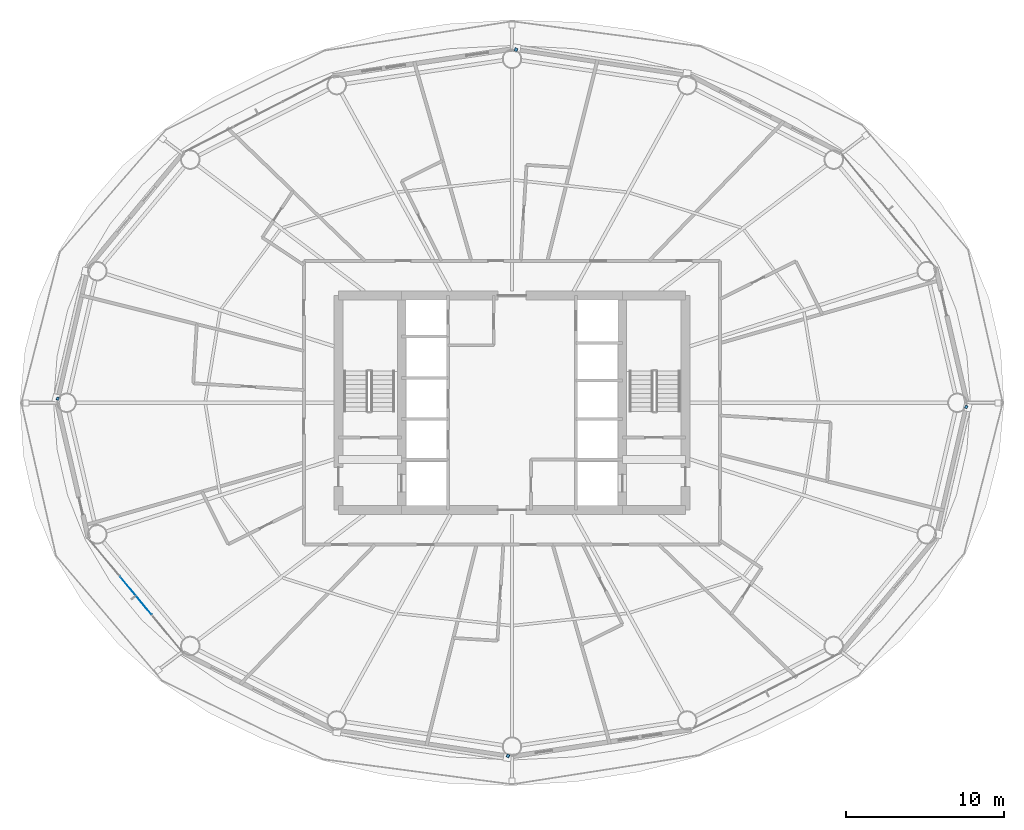
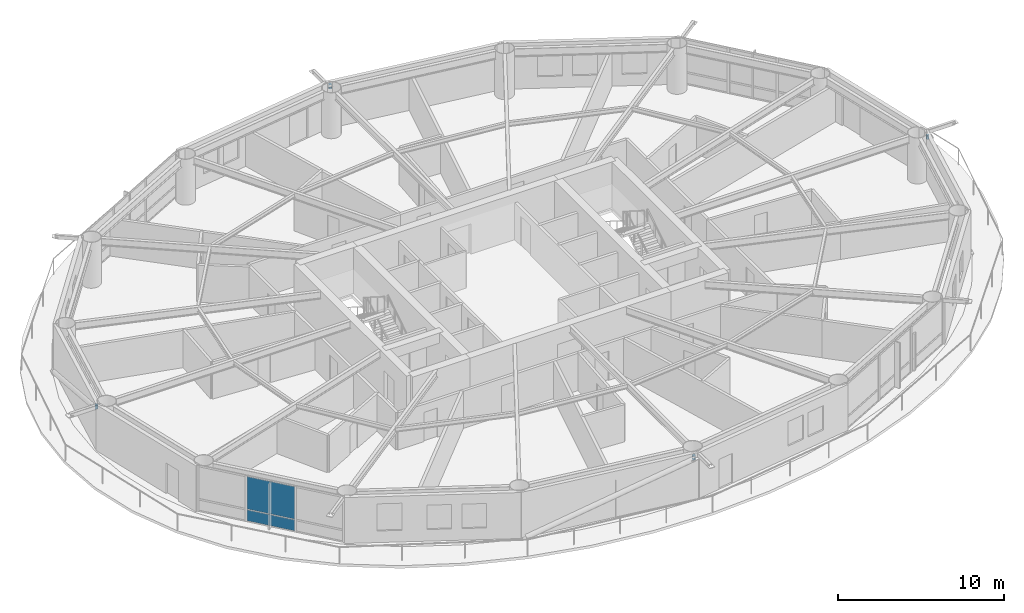
# One storey, part 13 of 24: 4 members, 2 plates, 1 element without a shape of its own.
"""IFC4 building model written with IfcOpenShell, lengths in metres."""

from ifc_helpers import new_model, si_unit, direction, frame, origin, origin_2d, place, context, subcontext, project, spatial, rectangle, hollow_rectangle, extrude, material, layer, layer_set, material_profile, profile_set, type_object, element, aggregate, save


model = new_model("IFC4")

# Units and contexts
model_context = context("Model", 3, precision=1e-05, world=origin(), true_north=direction((0.0, 1.0)))
body_context = subcontext(model_context, "Body", "Model", "MODEL_VIEW")
ifc_project = project(units=[si_unit("LENGTHUNIT", "METRE"), si_unit("AREAUNIT", "SQUARE_METRE"), si_unit("VOLUMEUNIT", "CUBIC_METRE"), si_unit("PLANEANGLEUNIT", "RADIAN"), si_unit("MASSUNIT", "GRAM", prefix="KILO")], contexts=[model_context])

# Site, building, storey
site_placement = place(None, origin())
site = spatial("IfcSite", under=ifc_project, at=site_placement, CompositionType="ELEMENT")
building_placement = place(site_placement, origin())
building = spatial("IfcBuilding", under=site, at=building_placement, Name="Sarneth Arch Tower", CompositionType="ELEMENT")
storey_placement = place(building_placement, frame((0.0, 0.0, 98.39990234375)))
storey = spatial("IfcBuildingStorey", under=building, at=storey_placement, Name="L24", CompositionType="ELEMENT", Elevation=98.39990234375)

# Members
ifc_material_1 = material(Name="Steel S355", Category="steel")
ifc_material_profile = material_profile(ifc_material_1, hollow_rectangle(XDim=0.199951171875, YDim=0.300048828125, WallThickness=0.012451171875, InnerFilletRadius=0.018798828125, OuterFilletRadius=0.03125, at=origin_2d()), Name="RHS300x200x12.5")
ifc_profile_set = profile_set([ifc_material_profile], Name="Steel S355")
member_type = type_object("IfcMemberType", Name="MEM-CANT-STRUT", PredefinedType="STRUT", material=ifc_profile_set)
member_1_placement = place(storey_placement, frame((48.214599609375, 64.295654296875, 3.012939453125), z_axis=(0.396911150685, 0.91785703596, 0.0), x_axis=(-0.91785703596, 0.396911150685, 0.0)))
element("IfcMember", 1, at=member_1_placement, inside=storey, type_object=member_type, Name="L24 Exoskeleton brace node strut 04B", PredefinedType="STRUT", context=body_context, shape_type="SweptSolid", body=[
    extrude(hollow_rectangle(XDim=0.199951171875, YDim=0.300048828125, WallThickness=0.012451171875, InnerFilletRadius=0.018798828125, OuterFilletRadius=0.03125, at=origin_2d()), origin(), (0.0, 0.0, 1.0), 0.206787109375),
])
member_2_placement = place(storey_placement, frame((19.27197265625, 42.223876953125, 3.012939453125), z_axis=(-0.910619027161, 0.413246884287, 0.0), x_axis=(-0.413246884287, -0.910619027161, 0.0)))
element("IfcMember", 2, at=member_2_placement, inside=storey, type_object=member_type, Name="L24 Exoskeleton brace node strut 08B", PredefinedType="STRUT", context=body_context, shape_type="SweptSolid", body=[
    extrude(hollow_rectangle(XDim=0.199951171875, YDim=0.300048828125, WallThickness=0.012451171875, InnerFilletRadius=0.018798828125, OuterFilletRadius=0.03125, at=origin_2d()), origin(), (0.0, 0.0, 1.0), 0.16552734375),
])
member_3_placement = place(storey_placement, frame((47.785400390625, 19.704345703125, 3.012939453125), z_axis=(-0.396911150685, -0.91785703596, 0.0), x_axis=(0.91785703596, -0.396911150685, 0.0)))
element("IfcMember", 3, at=member_3_placement, inside=storey, type_object=member_type, Name="L24 Exoskeleton brace node strut 12B", PredefinedType="STRUT", context=body_context, shape_type="SweptSolid", body=[
    extrude(hollow_rectangle(XDim=0.199951171875, YDim=0.300048828125, WallThickness=0.012451171875, InnerFilletRadius=0.018798828125, OuterFilletRadius=0.03125, at=origin_2d()), origin(), (0.0, 0.0, 1.0), 0.206787109375),
])
member_4_placement = place(storey_placement, frame((76.72802734375, 41.776123046875, 3.012939453125), z_axis=(0.910619027161, -0.413246884287, 0.0), x_axis=(0.413246884287, 0.910619027161, 0.0)))
element("IfcMember", 4, at=member_4_placement, inside=storey, type_object=member_type, Name="L24 Exoskeleton brace node strut 16B", PredefinedType="STRUT", context=body_context, shape_type="SweptSolid", body=[
    extrude(hollow_rectangle(XDim=0.199951171875, YDim=0.300048828125, WallThickness=0.012451171875, InnerFilletRadius=0.018798828125, OuterFilletRadius=0.03125, at=origin_2d()), origin(), (0.0, 0.0, 1.0), 0.16552734375),
])

# Curtain wall, plates
ifc_material_2 = material(Name="Anodised aluminium Type AA25 and solar-control low-e laminated IGU", Category="aluminium")
ifc_layer_1 = layer(ifc_material_2, 0.159912109375)
ifc_layer_set_1 = layer_set([ifc_layer_1], Name="Anodised aluminium Type AA25 and solar-control low-e laminated IGU")
curtain_wall_type = type_object("IfcCurtainWallType", Name="CW-HOTEL-MID", PredefinedType="NOTDEFINED", material=ifc_layer_set_1)
curtain_wall_placement = place(storey_placement, origin())
curtain_wall = element("IfcCurtainWall", 5, at=curtain_wall_placement, inside=storey, type_object=curtain_wall_type, Name="L24 Unitised curtain wall facet 10", PredefinedType="NOTDEFINED")
ifc_material_3 = material(Name="Solar-control low-e laminated IGU", Category="glass")
ifc_layer_2 = layer(ifc_material_3, 0.028076171875)
ifc_layer_set_2 = layer_set([ifc_layer_2], Name="Solar-control low-e laminated IGU")
plate_type = type_object("IfcPlateType", Name="CW-PANEL", PredefinedType="CURTAIN_PANEL", material=ifc_layer_set_2)
plate_1_placement = place(storey_placement, frame((24.1494140625, 29.778076171875, 0.06005859375), z_axis=(0.0, 0.0, 1.0), x_axis=(0.637515188684, -0.770437787363, 0.0)))
plate_1 = element("IfcPlate", 6, at=plate_1_placement, type_object=plate_type, Name="Curtain wall glazed vision pane CW-L24-F10/P01-00", PredefinedType="CURTAIN_PANEL", context=body_context, shape_type="SweptSolid", body=[
    extrude(rectangle(XDim=3.08837890625, YDim=0.028076171875, at=origin_2d()), origin(), (0.0, 0.0, 1.0), 0.81005859375),
])
plate_2_placement = place(storey_placement, frame((24.1494140625, 29.778076171875, 0.93017578125), z_axis=(0.0, 0.0, 1.0), x_axis=(0.637515188684, -0.770437787363, 0.0)))
plate_2 = element("IfcPlate", 7, at=plate_2_placement, type_object=plate_type, Name="Curtain wall glazed vision pane CW-L24-F10/P01-01", PredefinedType="CURTAIN_PANEL", context=body_context, shape_type="SweptSolid", body=[
    extrude(rectangle(XDim=3.08837890625, YDim=0.028076171875, at=origin_2d()), origin(), (0.0, 0.0, 1.0), 2.389892578125),
])
aggregate(curtain_wall, [plate_1, plate_2])

save(model, "model.ifc")
